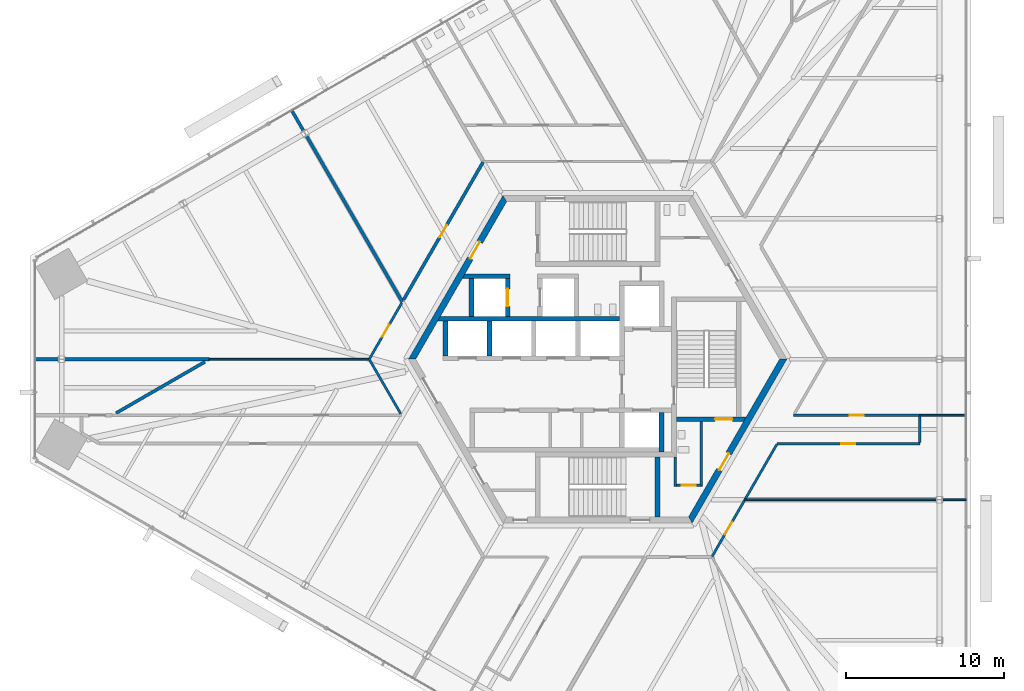
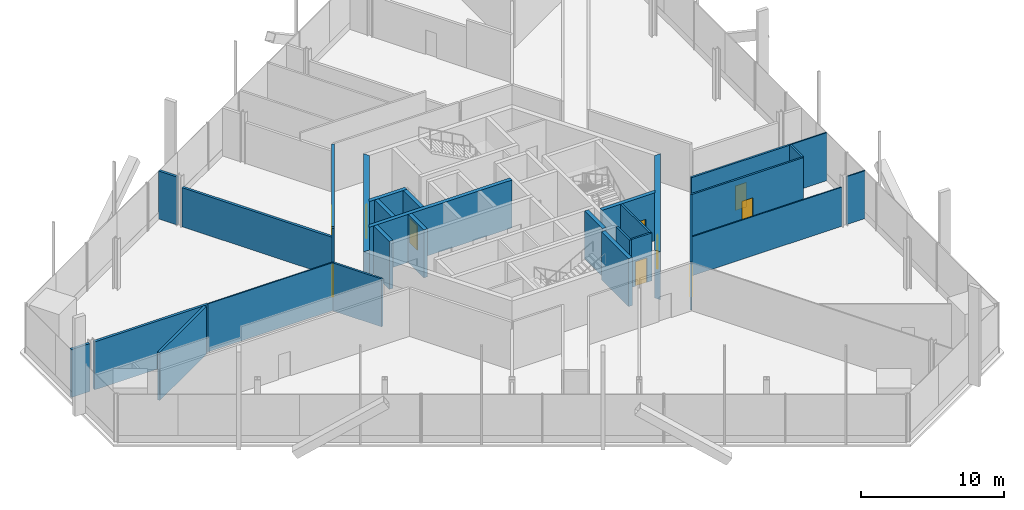
# One storey, part 12 of 19: 30 walls, 10 doors, 10 openings.
"""IFC4 building model written with IfcOpenShell, lengths in metres."""

from ifc_helpers import new_model, si_unit, direction, frame, frame_2d, origin, place, context, subcontext, project, spatial, polyline, rectangle, outline, extrude, source, transform, mapped, material, layer, layer_set, type_object, element, fill, save


model = new_model("IFC4")

# Units and contexts
model_context = context("Model", 3, precision=1e-05, world=origin(), true_north=direction((0.0, 1.0)))
body_context = subcontext(model_context, "Body", "Model", "MODEL_VIEW")
ifc_project = project(units=[si_unit("LENGTHUNIT", "METRE"), si_unit("AREAUNIT", "SQUARE_METRE"), si_unit("VOLUMEUNIT", "CUBIC_METRE"), si_unit("PLANEANGLEUNIT", "RADIAN"), si_unit("MASSUNIT", "GRAM", prefix="KILO")], contexts=[model_context])

# Site, building, storey
site_placement = place(None, origin())
site = spatial("IfcSite", under=ifc_project, at=site_placement, CompositionType="ELEMENT")
building_placement = place(site_placement, origin())
building = spatial("IfcBuilding", under=site, at=building_placement, Name="Triune Harvest Tower", CompositionType="ELEMENT")
storey_placement = place(building_placement, frame((0.0, 0.0, 24.60009765625)))
storey = spatial("IfcBuildingStorey", under=building, at=storey_placement, Name="L05", CompositionType="ELEMENT", Elevation=24.60009765625)

# Wall, opening, door
ifc_material_1 = material(Name="Concrete 70 MPa", Category="concrete")
ifc_layer_1 = layer(ifc_material_1, 0.39990234375)
ifc_layer_set_1 = layer_set([ifc_layer_1], Name="Concrete 70 MPa")
wall_type_1 = type_object("IfcWallType", Name="Core wall 400", PredefinedType="SHEAR", material=ifc_layer_set_1)
shared_shape_1 = source(origin(), body_context, "Body", "SweptSolid", [
    extrude(outline(polyline([(-0.115478515625, -0.199951171875), (11.884521484375, -0.199951171875), (11.653564453125, 0.199951171875), (0.115478515625, 0.199951171875), (-0.115478515625, -0.199951171875)])), origin(), (0.0, 0.0, 1.0), 4.099853515625),
])
wall_1_placement = place(storey_placement, frame((-5.884521484375, 10.1923828125, 0.0), z_axis=(0.0, 0.0, 1.0), x_axis=(-0.499996592174, -0.866027371285, 0.0)))
wall_1 = element("IfcWall", 1, at=wall_1_placement, inside=storey, type_object=wall_type_1, Name="Hexagon 2 wall", PredefinedType="SHEAR", context=body_context, shape_type="MappedRepresentation", body=[
    mapped(shared_shape_1, transform((0.0, 0.0, 0.0), scale=1.0)),
])
opening_1_placement = place(wall_1_placement, frame((3.1845703125, 0.0, 0.0)))
opening_1 = element("IfcOpeningElement", 2, at=opening_1_placement, cuts=wall_1, Name="Opening CD-SVP", PredefinedType="OPENING", context=body_context, shape_type="SweptSolid", body=[
    extrude(rectangle(XDim=1.199951171875, YDim=2.10009765625, at=frame_2d((0.60009765625, 1.050048828125))), frame((0.0, 0.2099609375, 0.0), z_axis=(0.0, -1.0, 0.0), x_axis=(1.0, 0.0, 0.0)), (0.0, 0.0, 1.0), 0.419921875),
])
ifc_material_2 = material(Name="Steel S235", Category="steel")
door_type_1 = type_object("IfcDoorType", Name="Service door 1200 FD120", OperationType="SINGLE_SWING_LEFT", PredefinedType="DOOR", material=ifc_material_2)
door_1_placement = place(opening_1_placement, frame((1.199951171875, 0.0, 0.0), z_axis=(0.0, 0.0, 1.0), x_axis=(-1.0, 0.0, 0.0)))
door_1 = element("IfcDoor", 3, at=door_1_placement, inside=storey, type_object=door_type_1, Name="Door CD-SVP", OperationType="SINGLE_SWING_RIGHT", OverallHeight=2.10009765625, OverallWidth=1.199951171875, PredefinedType="DOOR", context=body_context, shape_type="SweptSolid", body=[
    extrude(rectangle(XDim=1.199951171875, YDim=2.10009765625, at=frame_2d((0.60009765625, 1.050048828125))), frame((0.0, 0.02490234375, 0.0), z_axis=(0.0, -1.0, 0.0), x_axis=(1.0, 0.0, 0.0)), (0.0, 0.0, 1.0), 0.050048828125),
])
fill(opening_1, door_1)

wall_2_placement = place(storey_placement, frame((5.884521484375, -10.1923828125, 0.0), z_axis=(0.0, 0.0, 1.0), x_axis=(0.499996592174, 0.866027371285, 0.0)))
wall_2 = element("IfcWall", 4, at=wall_2_placement, inside=storey, type_object=wall_type_1, Name="Hexagon 5 wall", PredefinedType="SHEAR", context=body_context, shape_type="MappedRepresentation", body=[
    mapped(shared_shape_1, transform((0.0, 0.0, 0.0), scale=1.0)),
])
opening_2_placement = place(wall_2_placement, frame((3.66455078125, 0.0, 0.0)))
opening_2 = element("IfcOpeningElement", 5, at=opening_2_placement, cuts=wall_2, Name="Opening CD-DP", PredefinedType="OPENING", context=body_context, shape_type="SweptSolid", body=[
    extrude(rectangle(XDim=1.199951171875, YDim=2.10009765625, at=frame_2d((0.60009765625, 1.050048828125))), frame((0.0, 0.2099609375, 0.0), z_axis=(0.0, -1.0, 0.0), x_axis=(1.0, 0.0, 0.0)), (0.0, 0.0, 1.0), 0.419921875),
])
ifc_material_3 = material(Name="Steel S235", Category="steel")
door_type_2 = type_object("IfcDoorType", Name="Stair door 1200 FD120", OperationType="SINGLE_SWING_LEFT", PredefinedType="DOOR", material=ifc_material_3)
door_2_placement = place(opening_2_placement, frame((1.199951171875, 0.0, 0.0), z_axis=(0.0, 0.0, 1.0), x_axis=(-1.0, 0.0, 0.0)))
door_2 = element("IfcDoor", 6, at=door_2_placement, inside=storey, type_object=door_type_2, Name="Door CD-DP", OperationType="SINGLE_SWING_RIGHT", OverallHeight=2.10009765625, OverallWidth=1.199951171875, PredefinedType="DOOR", context=body_context, shape_type="SweptSolid", body=[
    extrude(rectangle(XDim=1.199951171875, YDim=2.10009765625, at=frame_2d((0.60009765625, 1.050048828125))), frame((0.0, 0.02490234375, 0.0), z_axis=(0.0, -1.0, 0.0), x_axis=(1.0, 0.0, 0.0)), (0.0, 0.0, 1.0), 0.050048828125),
])
fill(opening_2, door_2)

# Walls
ifc_material_4 = material(Name="Concrete 70 MPa", Category="concrete")
ifc_layer_2 = layer(ifc_material_4, 0.300048828125)
ifc_layer_set_2 = layer_set([ifc_layer_2], Name="Concrete 70 MPa")
wall_type_2 = type_object("IfcWallType", Name="Core wall 300", PredefinedType="SHEAR", material=ifc_layer_set_2)
shared_shape_2 = source(origin(), body_context, "Body", "SweptSolid", [
    extrude(outline(polyline([(11.199951171875, -0.14990234375), (-0.34912109375, -0.14990234375), (-0.17578125, 0.14990234375), (11.199951171875, 0.14990234375), (11.199951171875, -0.14990234375)])), origin(), (0.0, 0.0, 1.0), 4.099853515625),
])
wall_3_placement = place(storey_placement, frame((-9.800048828125, 2.56005859375, 0.0), z_axis=(0.0, 0.0, 1.0), x_axis=(1.0, 0.0, 0.0)))
element("IfcWall", 7, at=wall_3_placement, inside=storey, type_object=wall_type_2, Name="North back wall", PredefinedType="SHEAR", context=body_context, shape_type="MappedRepresentation", body=[
    mapped(shared_shape_2, transform((0.0, 0.0, 0.0), scale=1.0)),
])
shared_shape_3 = source(origin(), body_context, "Body", "SweptSolid", [
    extrude(rectangle(XDim=2.5, YDim=0.300048828125, at=frame_2d((1.25, 0.0))), origin(), (0.0, 0.0, 1.0), 4.099853515625),
])
wall_4_placement = place(storey_placement, frame((4.050048828125, -5.889892578125, 0.0), z_axis=(0.0, 0.0, 1.0), x_axis=(0.0, 1.0, 0.0)))
element("IfcWall", 8, at=wall_4_placement, inside=storey, type_object=wall_type_2, Name="Ff2 east wall", PredefinedType="SHEAR", context=body_context, shape_type="MappedRepresentation", body=[
    mapped(shared_shape_3, transform((0.0, 0.0, 0.0), scale=1.0)),
])
shared_shape_4 = source(origin(), body_context, "Body", "SweptSolid", [
    extrude(rectangle(XDim=2.199951171875, YDim=0.300048828125, at=frame_2d((1.10009765625, 0.0))), origin(), (0.0, 0.0, 1.0), 4.099853515625),
])
for number, where, z_axis, x_axis, name in (
    (9, (-9.64990234375, 0.2099609375, 0.0), (0.0, 0.0, 1.0), (0.0, 1.0, 0.0), "North end west wall"),
    (10, (-6.85009765625, 0.2099609375, 0.0), (0.0, 0.0, 1.0), (0.0, 1.0, 0.0), "North cross 1 wall"),
):
    element("IfcWall", number, at=place(storey_placement, frame(where, z_axis=z_axis, x_axis=x_axis)), inside=storey, type_object=wall_type_2, Name=name, PredefinedType="SHEAR", context=body_context, shape_type="MappedRepresentation", body=[
        mapped(shared_shape_4, transform((0.0, 0.0, 0.0), scale=1.0)),
    ])

# Wall, opening, door
shared_shape_5 = source(origin(), body_context, "Body", "SweptSolid", [
    extrude(outline(polyline([(0.0, -0.14990234375), (0.0, 0.14990234375), (4.43310546875, 0.14990234375), (4.260009765625, -0.14990234375), (0.0, -0.14990234375)])), origin(), (0.0, 0.0, 1.0), 4.099853515625),
])
wall_5_placement = place(storey_placement, frame((5.0, -3.800048828125, 0.0), z_axis=(0.0, 0.0, 1.0), x_axis=(1.0, 0.0, 0.0)))
wall_5 = element("IfcWall", 11, at=wall_5_placement, inside=storey, type_object=wall_type_2, Name="Stair e south wall", PredefinedType="SHEAR", context=body_context, shape_type="MappedRepresentation", body=[
    mapped(shared_shape_5, transform((0.0, 0.0, 0.0), scale=1.0)),
])
opening_3_placement = place(wall_5_placement, frame((2.449951171875, 0.0, 0.0)))
opening_3 = element("IfcOpeningElement", 12, at=opening_3_placement, cuts=wall_5, Name="Opening CD-S3D", PredefinedType="OPENING", context=body_context, shape_type="SweptSolid", body=[
    extrude(rectangle(XDim=1.10009765625, YDim=2.10009765625, at=frame_2d((0.550048828125, 1.050048828125))), frame((0.0, 0.16015625, 0.0), z_axis=(0.0, -1.0, 0.0), x_axis=(1.0, 0.0, 0.0)), (0.0, 0.0, 1.0), 0.320068359375),
])
ifc_material_5 = material(Name="Steel S235", Category="steel")
door_type_3 = type_object("IfcDoorType", Name="Stair door 1100 FD120", OperationType="SINGLE_SWING_LEFT", PredefinedType="DOOR", material=ifc_material_5)
door_3_placement = place(opening_3_placement, frame((1.10009765625, 0.0, 0.0), z_axis=(0.0, 0.0, 1.0), x_axis=(-1.0, 0.0, 0.0)))
door_3 = element("IfcDoor", 13, at=door_3_placement, inside=storey, type_object=door_type_3, Name="Door CD-S3D", OperationType="SINGLE_SWING_RIGHT", OverallHeight=2.10009765625, OverallWidth=1.10009765625, PredefinedType="DOOR", context=body_context, shape_type="SweptSolid", body=[
    extrude(rectangle(XDim=1.10009765625, YDim=2.10009765625, at=frame_2d((0.550048828125, 1.050048828125))), frame((0.0, 0.02490234375, 0.0), z_axis=(0.0, -1.0, 0.0), x_axis=(1.0, 0.0, 0.0)), (0.0, 0.0, 1.0), 0.050048828125),
])
fill(opening_3, door_3)

# Walls
shared_shape_6 = source(origin(), body_context, "Body", "SweptSolid", [
    extrude(outline(polyline([(3.800048828125, -0.14990234375), (-0.00439453125, -0.14990234375), (-0.00439453125, 0.14990234375), (3.800048828125, 0.14990234375), (3.800048828125, -0.14990234375)])), origin(), (0.0, 0.0, 1.0), 4.099853515625),
])
wall_6_placement = place(storey_placement, frame((3.800048828125, -9.989990234375, 0.0), z_axis=(0.0, 0.0, 1.0), x_axis=(0.0, 1.0, 0.0)))
element("IfcWall", 14, at=wall_6_placement, inside=storey, type_object=wall_type_2, Name="Stair s east wall", PredefinedType="SHEAR", context=body_context, shape_type="MappedRepresentation", body=[
    mapped(shared_shape_6, transform((0.0, 0.0, 0.0), scale=1.0)),
])
shared_shape_7 = source(origin(), body_context, "Body", "SweptSolid", [
    extrude(outline(polyline([(2.60009765625, -0.14990234375), (-0.440185546875, -0.14990234375), (-0.26708984375, 0.14990234375), (2.60009765625, 0.14990234375), (2.60009765625, -0.14990234375)])), origin(), (0.0, 0.0, 1.0), 4.099853515625),
])
wall_7_placement = place(storey_placement, frame((-8.14990234375, 5.260009765625, 0.0), z_axis=(0.0, 0.0, 1.0), x_axis=(1.0, 0.0, 0.0)))
element("IfcWall", 15, at=wall_7_placement, inside=storey, type_object=wall_type_2, Name="Sv1 north wall", PredefinedType="SHEAR", context=body_context, shape_type="MappedRepresentation", body=[
    mapped(shared_shape_7, transform((0.0, 0.0, 0.0), scale=1.0)),
])
shared_shape_8 = source(origin(), body_context, "Body", "SweptSolid", [
    extrude(rectangle(XDim=2.400146484375, YDim=0.300048828125, at=frame_2d((1.2001953125, 0.0))), origin(), (0.0, 0.0, 1.0), 4.099853515625),
])
wall_8_placement = place(storey_placement, frame((-8.0, 2.7099609375, 0.0), z_axis=(0.0, 0.0, 1.0), x_axis=(0.0, 1.0, 0.0)))
element("IfcWall", 16, at=wall_8_placement, inside=storey, type_object=wall_type_2, Name="Sv1 west wall", PredefinedType="SHEAR", context=body_context, shape_type="MappedRepresentation", body=[
    mapped(shared_shape_8, transform((0.0, 0.0, 0.0), scale=1.0)),
])

# Wall, opening, door
wall_9_placement = place(storey_placement, frame((-5.699951171875, 2.7099609375, 0.0), z_axis=(0.0, 0.0, 1.0), x_axis=(0.0, 1.0, 0.0)))
wall_9 = element("IfcWall", 17, at=wall_9_placement, inside=storey, type_object=wall_type_2, Name="Sv1 east wall", PredefinedType="SHEAR", context=body_context, shape_type="MappedRepresentation", body=[
    mapped(shared_shape_8, transform((0.0, 0.0, 0.0), scale=1.0)),
])
opening_4_placement = place(wall_9_placement, frame((0.64990234375, 0.0, 0.0)))
opening_4 = element("IfcOpeningElement", 18, at=opening_4_placement, cuts=wall_9, Name="Opening LD-SV1-05", PredefinedType="OPENING", context=body_context, shape_type="SweptSolid", body=[
    extrude(rectangle(XDim=1.10009765625, YDim=2.10009765625, at=frame_2d((0.550048828125, 1.050048828125))), frame((0.0, 0.16015625, 0.0), z_axis=(0.0, -1.0, 0.0), x_axis=(1.0, 0.0, 0.0)), (0.0, 0.0, 1.0), 0.320068359375),
])
ifc_material_6 = material(Name="Stainless steel AISI 304", Category="steel")
door_type_4 = type_object("IfcDoorType", Name="Landing door 1100 x 2100", OperationType="DOUBLE_DOOR_SLIDING", PredefinedType="DOOR", material=ifc_material_6)
door_4_placement = place(opening_4_placement, origin())
door_4 = element("IfcDoor", 19, at=door_4_placement, inside=storey, type_object=door_type_4, Name="Door LD-SV1-05", OperationType="DOUBLE_DOOR_SLIDING", OverallHeight=2.10009765625, OverallWidth=1.10009765625, PredefinedType="DOOR", context=body_context, shape_type="SweptSolid", body=[
    extrude(rectangle(XDim=1.10009765625, YDim=2.10009765625, at=frame_2d((0.550048828125, 1.050048828125))), frame((0.0, 0.02490234375, 0.0), z_axis=(0.0, -1.0, 0.0), x_axis=(1.0, 0.0, 0.0)), (0.0, 0.0, 1.0), 0.050048828125),
])
fill(opening_4, door_4)

ifc_material_7 = material(Name="Concrete masonry unit", Category="masonry")
ifc_layer_3 = layer(ifc_material_7, 0.14990234375)
ifc_layer_set_3 = layer_set([ifc_layer_3], Name="Concrete masonry unit")
wall_type_3 = type_object("IfcWallType", Name="Block partition 150 unrated", PredefinedType="PARTITIONING", material=ifc_layer_set_3)
shared_shape_9 = source(origin(), body_context, "Body", "SweptSolid", [
    extrude(outline(polyline([(0.0, -0.074951171875), (1.64990234375, -0.074951171875), (1.5, 0.074951171875), (0.0, 0.074951171875), (0.0, -0.074951171875)])), origin(), (0.0, 0.0, 1.0), 4.099853515625),
])
wall_10_placement = place(storey_placement, frame((5.0, -8.0, 0.0), z_axis=(0.0, 0.0, 1.0), x_axis=(1.0, 0.0, 0.0)))
wall_10 = element("IfcWall", 20, at=wall_10_placement, inside=storey, type_object=wall_type_3, Name="Wc acc south wall", PredefinedType="PARTITIONING", context=body_context, shape_type="MappedRepresentation", body=[
    mapped(shared_shape_9, transform((0.0, 0.0, 0.0), scale=1.0)),
])
opening_5_placement = place(wall_10_placement, frame((0.33740234375, 0.0, 0.0)))
opening_5 = element("IfcOpeningElement", 21, at=opening_5_placement, cuts=wall_10, Name="Opening CD-WA", PredefinedType="OPENING", context=body_context, shape_type="SweptSolid", body=[
    extrude(rectangle(XDim=0.89990234375, YDim=2.10009765625, at=frame_2d((0.449951171875, 1.050048828125))), frame((0.0, 0.0849609375, 0.0), z_axis=(0.0, -1.0, 0.0), x_axis=(1.0, 0.0, 0.0)), (0.0, 0.0, 1.0), 0.169921875),
])
ifc_material_8 = material(Name="Timber C24", Category="wood")
door_type_5 = type_object("IfcDoorType", Name="WC door 900", OperationType="SINGLE_SWING_LEFT", PredefinedType="DOOR", material=ifc_material_8)
door_5_placement = place(opening_5_placement, origin())
door_5 = element("IfcDoor", 22, at=door_5_placement, inside=storey, type_object=door_type_5, Name="Door CD-WA", OperationType="SINGLE_SWING_LEFT", OverallHeight=2.10009765625, OverallWidth=0.89990234375, PredefinedType="DOOR", context=body_context, shape_type="SweptSolid", body=[
    extrude(rectangle(XDim=0.89990234375, YDim=2.10009765625, at=frame_2d((0.449951171875, 1.050048828125))), frame((0.0, 0.02490234375, 0.0), z_axis=(0.0, -1.0, 0.0), x_axis=(1.0, 0.0, 0.0)), (0.0, 0.0, 1.0), 0.050048828125),
])
fill(opening_5, door_5)

# Walls
shared_shape_10 = source(origin(), body_context, "Body", "SweptSolid", [
    extrude(outline(polyline([(-0.074951171875, -0.074951171875), (4.050048828125, -0.074951171875), (4.050048828125, 0.074951171875), (0.074951171875, 0.074951171875), (-0.074951171875, -0.074951171875)])), origin(), (0.0, 0.0, 1.0), 4.099853515625),
])
wall_11_placement = place(storey_placement, frame((6.574951171875, -8.0, 0.0), z_axis=(0.0, 0.0, 1.0), x_axis=(0.0, 1.0, 0.0)))
element("IfcWall", 23, at=wall_11_placement, inside=storey, type_object=wall_type_3, Name="Wc acc east wall", PredefinedType="PARTITIONING", context=body_context, shape_type="MappedRepresentation", body=[
    mapped(shared_shape_10, transform((0.0, 0.0, 0.0), scale=1.0)),
])
shared_shape_11 = source(origin(), body_context, "Body", "SweptSolid", [
    extrude(rectangle(XDim=1.885009765625, YDim=0.14990234375, at=frame_2d((0.9423828125, 0.0))), origin(), (0.0, 0.0, 1.0), 4.099853515625),
])
wall_12_placement = place(storey_placement, frame((4.925048828125, -8.074951171875, 0.0), z_axis=(0.0, 0.0, 1.0), x_axis=(0.0, 1.0, 0.0)))
element("IfcWall", 24, at=wall_12_placement, inside=storey, type_object=wall_type_3, Name="Wc acc west wall", PredefinedType="PARTITIONING", context=body_context, shape_type="MappedRepresentation", body=[
    mapped(shared_shape_11, transform((0.0, 0.0, 0.0), scale=1.0)),
])
ifc_material_9 = material(Name="Gypsum board on steel studs", Category="steel")
ifc_layer_4 = layer(ifc_material_9, 0.199951171875)
ifc_layer_set_4 = layer_set([ifc_layer_4], Name="Gypsum board on steel studs")
wall_type_4 = type_object("IfcWallType", Name="Fire Wall 200 mm", PredefinedType="PARTITIONING", material=ifc_layer_set_4)
shared_shape_12 = source(origin(), body_context, "Body", "SweptSolid", [
    extrude(rectangle(XDim=12.147705078125, YDim=0.199951171875, at=frame_2d((6.07373046875, 0.0))), origin(), (0.0, 0.0, 1.0), 3.343017578125),
])
wall_13_placement = place(storey_placement, frame((-18.45947265625, 14.152587890625, 0.0), z_axis=(0.0, 0.0, 1.0), x_axis=(0.500006022464, -0.866021926685, 0.0)))
element("IfcWall", 25, at=wall_13_placement, inside=storey, type_object=wall_type_4, Name="Partition L05 004", PredefinedType="PARTITIONING", context=body_context, shape_type="MappedRepresentation", body=[
    mapped(shared_shape_12, transform((0.0, 0.0, 0.0), scale=1.0)),
])
ifc_material_10 = material(Name="Gypsum board on steel studs", Category="steel")
ifc_layer_5 = layer(ifc_material_10, 0.10009765625)
ifc_layer_set_5 = layer_set([ifc_layer_5], Name="Gypsum board on steel studs")
wall_type_5 = type_object("IfcWallType", Name="Partition 100 mm", PredefinedType="PARTITIONING", material=ifc_layer_set_5)
shared_shape_13 = source(origin(), body_context, "Body", "SweptSolid", [
    extrude(rectangle(XDim=12.14794921875, YDim=0.10009765625, at=frame_2d((6.073974609375, 0.0))), origin(), (0.0, 0.0, 1.0), 3.343017578125),
])
wall_14_placement = place(storey_placement, frame((9.33837890625, -8.909912109375, 0.0), z_axis=(0.0, 0.0, 1.0), x_axis=(1.0, 0.0, 0.0)))
element("IfcWall", 26, at=wall_14_placement, inside=storey, type_object=wall_type_5, Name="Partition L05 025", PredefinedType="PARTITIONING", context=body_context, shape_type="MappedRepresentation", body=[
    mapped(shared_shape_13, transform((0.0, 0.0, 0.0), scale=1.0)),
])
ifc_material_11 = material(Name="Gypsum board on steel studs", Category="steel")
ifc_layer_6 = layer(ifc_material_11, 0.14990234375)
ifc_layer_set_6 = layer_set([ifc_layer_6], Name="Gypsum board on steel studs")
wall_type_6 = type_object("IfcWallType", Name="Fire Partition 150 mm", PredefinedType="PARTITIONING", material=ifc_layer_set_6)
shared_shape_14 = source(origin(), body_context, "Body", "SweptSolid", [
    extrude(rectangle(XDim=3.945068359375, YDim=0.14990234375, at=frame_2d((1.97265625, 0.0))), origin(), (0.0, 0.0, 1.0), 4.099853515625),
])
wall_15_placement = place(storey_placement, frame((-14.45751953125, -0.043212890625, 0.0), z_axis=(0.0, 0.0, 1.0), x_axis=(0.499979592829, -0.866037185549, 0.0)))
element("IfcWall", 27, at=wall_15_placement, inside=storey, type_object=wall_type_6, Name="Partition L05 001", PredefinedType="PARTITIONING", context=body_context, shape_type="MappedRepresentation", body=[
    mapped(shared_shape_14, transform((0.0, 0.0, 0.0), scale=1.0)),
])
shared_shape_15 = source(origin(), body_context, "Body", "SweptSolid", [
    extrude(rectangle(XDim=1.49853515625, YDim=0.199951171875, at=frame_2d((0.749267578125, 0.0))), origin(), (0.0, 0.0, 1.0), 4.099853515625),
])
for number, where, z_axis, x_axis, name in (
    (28, (-19.40185546875, 15.78515625, 0.0), (0.0, 0.0, 1.0), (0.499976292358, -0.866039090965, 0.0), "Partition L05 003"),
    (29, (-35.680419921875, 0.0, 0.0), (0.0, 0.0, 1.0), (1.0, 0.0, 0.0), "Partition L05 033"),
):
    element("IfcWall", number, at=place(storey_placement, frame(where, z_axis=z_axis, x_axis=x_axis)), inside=storey, type_object=wall_type_4, Name=name, PredefinedType="PARTITIONING", context=body_context, shape_type="MappedRepresentation", body=[
        mapped(shared_shape_15, transform((0.0, 0.0, 0.0), scale=1.0)),
    ])
shared_shape_16 = source(origin(), body_context, "Body", "SweptSolid", [
    extrude(rectangle(XDim=1.49853515625, YDim=0.10009765625, at=frame_2d((0.749267578125, 0.0))), origin(), (0.0, 0.0, 1.0), 4.099853515625),
])
wall_16_placement = place(storey_placement, frame((21.872802734375, -8.909912109375, 0.0), z_axis=(0.0, 0.0, 1.0), x_axis=(1.0, 0.0, 0.0)))
element("IfcWall", 30, at=wall_16_placement, inside=storey, type_object=wall_type_5, Name="Partition L05 026", PredefinedType="PARTITIONING", context=body_context, shape_type="MappedRepresentation", body=[
    mapped(shared_shape_16, transform((0.0, 0.0, 0.0), scale=1.0)),
])

# Wall, opening, door
shared_shape_17 = source(origin(), body_context, "Body", "SweptSolid", [
    extrude(rectangle(XDim=9.03857421875, YDim=0.14990234375, at=frame_2d((4.519287109375, 0.0))), origin(), (0.0, 0.0, 1.0), 4.099853515625),
])
wall_17_placement = place(storey_placement, frame((11.390869140625, -5.35498046875, 0.0), z_axis=(0.0, 0.0, 1.0), x_axis=(1.0, 0.0, 0.0)))
wall_17 = element("IfcWall", 31, at=wall_17_placement, inside=storey, type_object=wall_type_6, Name="Partition L05 028", PredefinedType="PARTITIONING", context=body_context, shape_type="MappedRepresentation", body=[
    mapped(shared_shape_17, transform((0.0, 0.0, 0.0), scale=1.0)),
])
opening_6_placement = place(wall_17_placement, frame((4.050048828125, 0.0, 0.0)))
opening_6 = element("IfcOpeningElement", 32, at=opening_6_placement, cuts=wall_17, Name="Opening L05-002", PredefinedType="OPENING", context=body_context, shape_type="SweptSolid", body=[
    extrude(rectangle(XDim=0.89990234375, YDim=2.10009765625, at=frame_2d((0.449951171875, 1.050048828125))), frame((0.0, 0.0849609375, 0.0), z_axis=(0.0, -1.0, 0.0), x_axis=(1.0, 0.0, 0.0)), (0.0, 0.0, 1.0), 0.169921875),
])
ifc_material_12 = material(Name="Timber and steel door set", Category="steel")
door_type_6 = type_object("IfcDoorType", Name="Single leaf door FD30 right hand 900 x 2100", OperationType="SINGLE_SWING_RIGHT", PredefinedType="DOOR", material=ifc_material_12)
door_6_placement = place(opening_6_placement, origin())
door_6 = element("IfcDoor", 33, at=door_6_placement, inside=storey, type_object=door_type_6, Name="Door L05-002 Dry Store Room 05.02", OperationType="SINGLE_SWING_RIGHT", OverallHeight=2.10009765625, OverallWidth=0.89990234375, PredefinedType="DOOR", context=body_context, shape_type="SweptSolid", body=[
    extrude(rectangle(XDim=0.89990234375, YDim=2.10009765625, at=frame_2d((0.449951171875, 1.050048828125))), frame((0.0, 0.02490234375, 0.0), z_axis=(0.0, -1.0, 0.0), x_axis=(1.0, 0.0, 0.0)), (0.0, 0.0, 1.0), 0.050048828125),
])
fill(opening_6, door_6)

shared_shape_18 = source(origin(), body_context, "Body", "SweptSolid", [
    extrude(rectangle(XDim=7.999267578125, YDim=0.14990234375, at=frame_2d((3.99951171875, 0.0))), origin(), (0.0, 0.0, 1.0), 4.099853515625),
])
wall_18_placement = place(storey_placement, frame((12.43017578125, -3.554931640625, 0.0), z_axis=(0.0, 0.0, 1.0), x_axis=(1.0, 0.0, 0.0)))
wall_18 = element("IfcWall", 34, at=wall_18_placement, inside=storey, type_object=wall_type_6, Name="Partition L05 031", PredefinedType="PARTITIONING", context=body_context, shape_type="MappedRepresentation", body=[
    mapped(shared_shape_18, transform((0.0, 0.0, 0.0), scale=1.0)),
])
opening_7_placement = place(wall_18_placement, frame((3.559326171875, 0.0, 0.0)))
opening_7 = element("IfcOpeningElement", 35, at=opening_7_placement, cuts=wall_18, Name="Opening L05-003", PredefinedType="OPENING", context=body_context, shape_type="SweptSolid", body=[
    extrude(rectangle(XDim=0.89990234375, YDim=2.10009765625, at=frame_2d((0.449951171875, 1.050048828125))), frame((0.0, 0.0849609375, 0.0), z_axis=(0.0, -1.0, 0.0), x_axis=(1.0, 0.0, 0.0)), (0.0, 0.0, 1.0), 0.169921875),
])
door_7_placement = place(opening_7_placement, origin())
door_7 = element("IfcDoor", 36, at=door_7_placement, inside=storey, type_object=door_type_6, Name="Door L05-003 Packing Room 05.03", OperationType="SINGLE_SWING_RIGHT", OverallHeight=2.10009765625, OverallWidth=0.89990234375, PredefinedType="DOOR", context=body_context, shape_type="SweptSolid", body=[
    extrude(rectangle(XDim=0.89990234375, YDim=2.10009765625, at=frame_2d((0.449951171875, 1.050048828125))), frame((0.0, 0.02490234375, 0.0), z_axis=(0.0, -1.0, 0.0), x_axis=(1.0, 0.0, 0.0)), (0.0, 0.0, 1.0), 0.050048828125),
])
fill(opening_7, door_7)

# Walls
shared_shape_19 = source(origin(), body_context, "Body", "SweptSolid", [
    extrude(rectangle(XDim=2.94189453125, YDim=0.10009765625, at=frame_2d((1.470947265625, 0.0))), origin(), (0.0, 0.0, 1.0), 4.099853515625),
])
wall_19_placement = place(storey_placement, frame((20.429443359375, -3.554931640625, 0.0), z_axis=(0.0, 0.0, 1.0), x_axis=(1.0, 0.0, 0.0)))
element("IfcWall", 37, at=wall_19_placement, inside=storey, type_object=wall_type_5, Name="Partition L05 032", PredefinedType="PARTITIONING", context=body_context, shape_type="MappedRepresentation", body=[
    mapped(shared_shape_19, transform((0.0, 0.0, 0.0), scale=1.0)),
])
shared_shape_20 = source(origin(), body_context, "Body", "SweptSolid", [
    extrude(rectangle(XDim=9.17724609375, YDim=0.199951171875, at=frame_2d((4.588623046875, 0.0))), origin(), (0.0, 0.0, 1.0), 4.099853515625),
])
wall_20_placement = place(storey_placement, frame((-33.79541015625, 0.0, 0.0), z_axis=(0.0, 0.0, 1.0), x_axis=(1.0, 0.0, 0.0)))
element("IfcWall", 38, at=wall_20_placement, inside=storey, type_object=wall_type_4, Name="Partition L05 034", PredefinedType="PARTITIONING", context=body_context, shape_type="MappedRepresentation", body=[
    mapped(shared_shape_20, transform((0.0, 0.0, 0.0), scale=1.0)),
])
shared_shape_21 = source(origin(), body_context, "Body", "SweptSolid", [
    extrude(rectangle(XDim=10.135498046875, YDim=0.10009765625, at=frame_2d((5.06787109375, 0.0))), origin(), (0.0, 0.0, 1.0), 4.099853515625),
])
wall_21_placement = place(storey_placement, frame((-24.6181640625, 0.0, 0.0), z_axis=(0.0, 0.0, 1.0), x_axis=(1.0, 0.0, 0.0)))
element("IfcWall", 39, at=wall_21_placement, inside=storey, type_object=wall_type_5, Name="Partition L05 035", PredefinedType="PARTITIONING", context=body_context, shape_type="MappedRepresentation", body=[
    mapped(shared_shape_21, transform((0.0, 0.0, 0.0), scale=1.0)),
])
shared_shape_22 = source(origin(), body_context, "Body", "SweptSolid", [
    extrude(rectangle(XDim=6.500244140625, YDim=0.199951171875, at=frame_2d((3.25, 0.0))), origin(), (0.0, 0.0, 1.0), 4.099853515625),
])
wall_22_placement = place(storey_placement, frame((-30.533203125, -3.4150390625, 0.0), z_axis=(0.0, 0.0, 1.0), x_axis=(0.866034226713, 0.499984717929, 0.0)))
element("IfcWall", 40, at=wall_22_placement, inside=storey, type_object=wall_type_4, Name="Partition L05 041", PredefinedType="PARTITIONING", context=body_context, shape_type="MappedRepresentation", body=[
    mapped(shared_shape_22, transform((0.0, 0.0, 0.0), scale=1.0)),
])

# Wall, opening, door
shared_shape_23 = source(origin(), body_context, "Body", "SweptSolid", [
    extrude(rectangle(XDim=8.21923828125, YDim=0.14990234375, at=frame_2d((4.109619140625, 0.0))), origin(), (0.0, 0.0, 1.0), 4.099853515625),
])
wall_23_placement = place(storey_placement, frame((7.25634765625, -12.516357421875, 0.0), z_axis=(0.0, 0.0, 1.0), x_axis=(0.499994999852, 0.866028290602, 0.0)))
wall_23 = element("IfcWall", 41, at=wall_23_placement, inside=storey, type_object=wall_type_6, Name="Partition L05 043", PredefinedType="PARTITIONING", context=body_context, shape_type="MappedRepresentation", body=[
    mapped(shared_shape_23, transform((0.0, 0.0, 0.0), scale=1.0)),
])
opening_8_placement = place(wall_23_placement, frame((1.6201171875, 0.0, 0.0)))
opening_8 = element("IfcOpeningElement", 42, at=opening_8_placement, cuts=wall_23, Name="Opening L05-001", PredefinedType="OPENING", context=body_context, shape_type="SweptSolid", body=[
    extrude(rectangle(XDim=0.89990234375, YDim=2.10009765625, at=frame_2d((0.449951171875, 1.050048828125))), frame((0.0, 0.0849609375, 0.0), z_axis=(0.0, -1.0, 0.0), x_axis=(1.0, 0.0, 0.0)), (0.0, 0.0, 1.0), 0.169921875),
])
door_8_placement = place(opening_8_placement, origin())
door_8 = element("IfcDoor", 43, at=door_8_placement, inside=storey, type_object=door_type_6, Name="Door L05-001 Staff Room 05.01", OperationType="SINGLE_SWING_RIGHT", OverallHeight=2.10009765625, OverallWidth=0.89990234375, PredefinedType="DOOR", context=body_context, shape_type="SweptSolid", body=[
    extrude(rectangle(XDim=0.89990234375, YDim=2.10009765625, at=frame_2d((0.449951171875, 1.050048828125))), frame((0.0, 0.02490234375, 0.0), z_axis=(0.0, -1.0, 0.0), x_axis=(1.0, 0.0, 0.0)), (0.0, 0.0, 1.0), 0.050048828125),
])
fill(opening_8, door_8)

shared_shape_24 = source(origin(), body_context, "Body", "SweptSolid", [
    extrude(rectangle(XDim=4.111083984375, YDim=0.14990234375, at=frame_2d((2.0556640625, 0.0))), origin(), (0.0, 0.0, 1.0), 4.099853515625),
])
wall_24_placement = place(storey_placement, frame((-14.47265625, 0.01708984375, 0.0), z_axis=(0.0, 0.0, 1.0), x_axis=(0.500022314862, 0.866012519909, 0.0)))
wall_24 = element("IfcWall", 44, at=wall_24_placement, inside=storey, type_object=wall_type_6, Name="Partition L05 059", PredefinedType="PARTITIONING", context=body_context, shape_type="MappedRepresentation", body=[
    mapped(shared_shape_24, transform((0.0, 0.0, 0.0), scale=1.0)),
])
opening_9_placement = place(wall_24_placement, frame((1.62451171875, 0.0, 0.0)))
opening_9 = element("IfcOpeningElement", 45, at=opening_9_placement, cuts=wall_24, Name="Opening L05-015", PredefinedType="OPENING", context=body_context, shape_type="SweptSolid", body=[
    extrude(rectangle(XDim=0.89990234375, YDim=2.10009765625, at=frame_2d((0.449951171875, 1.050048828125))), frame((0.0, 0.0849609375, 0.0), z_axis=(0.0, -1.0, 0.0), x_axis=(1.0, 0.0, 0.0)), (0.0, 0.0, 1.0), 0.169921875),
])
ifc_material_13 = material(Name="Timber and steel door set", Category="steel")
door_type_7 = type_object("IfcDoorType", Name="Single leaf door FD30 left hand 900 x 2100", OperationType="SINGLE_SWING_LEFT", PredefinedType="DOOR", material=ifc_material_13)
door_9_placement = place(opening_9_placement, origin())
door_9 = element("IfcDoor", 46, at=door_9_placement, inside=storey, type_object=door_type_7, Name="Door L05-015 Cold Store 05.15", OperationType="SINGLE_SWING_LEFT", OverallHeight=2.10009765625, OverallWidth=0.89990234375, PredefinedType="DOOR", context=body_context, shape_type="SweptSolid", body=[
    extrude(rectangle(XDim=0.89990234375, YDim=2.10009765625, at=frame_2d((0.449951171875, 1.050048828125))), frame((0.0, 0.02490234375, 0.0), z_axis=(0.0, -1.0, 0.0), x_axis=(1.0, 0.0, 0.0)), (0.0, 0.0, 1.0), 0.050048828125),
])
fill(opening_9, door_9)

shared_shape_25 = source(origin(), body_context, "Body", "SweptSolid", [
    extrude(rectangle(XDim=10.081787109375, YDim=0.199951171875, at=frame_2d((5.041015625, 0.0))), origin(), (0.0, 0.0, 1.0), 4.099853515625),
])
wall_25_placement = place(storey_placement, frame((-12.30712890625, 3.76806640625, 0.0), z_axis=(0.0, 0.0, 1.0), x_axis=(0.500014523669, 0.866017018378, 0.0)))
wall_25 = element("IfcWall", 47, at=wall_25_placement, inside=storey, type_object=wall_type_4, Name="Partition L05 060", PredefinedType="PARTITIONING", context=body_context, shape_type="MappedRepresentation", body=[
    mapped(shared_shape_25, transform((0.0, 0.0, 0.0), scale=1.0)),
])
opening_10_placement = place(wall_25_placement, frame((4.581787109375, 0.0, 0.0)))
opening_10 = element("IfcOpeningElement", 48, at=opening_10_placement, cuts=wall_25, Name="Opening L05-014", PredefinedType="OPENING", context=body_context, shape_type="SweptSolid", body=[
    extrude(rectangle(XDim=0.89990234375, YDim=2.10009765625, at=frame_2d((0.449951171875, 1.050048828125))), frame((0.0, 0.10986328125, 0.0), z_axis=(0.0, -1.0, 0.0), x_axis=(1.0, 0.0, 0.0)), (0.0, 0.0, 1.0), 0.219970703125),
])
ifc_material_14 = material(Name="Timber and steel door set", Category="steel")
door_type_8 = type_object("IfcDoorType", Name="Single leaf door FD60 right hand 900 x 2100", OperationType="SINGLE_SWING_RIGHT", PredefinedType="DOOR", material=ifc_material_14)
door_10_placement = place(opening_10_placement, origin())
door_10 = element("IfcDoor", 49, at=door_10_placement, inside=storey, type_object=door_type_8, Name="Door L05-014 Pump Room 05.14", OperationType="SINGLE_SWING_RIGHT", OverallHeight=2.10009765625, OverallWidth=0.89990234375, PredefinedType="DOOR", context=body_context, shape_type="SweptSolid", body=[
    extrude(rectangle(XDim=0.89990234375, YDim=2.10009765625, at=frame_2d((0.449951171875, 1.050048828125))), frame((0.0, 0.02490234375, 0.0), z_axis=(0.0, -1.0, 0.0), x_axis=(1.0, 0.0, 0.0)), (0.0, 0.0, 1.0), 0.050048828125),
])
fill(opening_10, door_10)

# Wall
shared_shape_26 = source(origin(), body_context, "Body", "SweptSolid", [
    extrude(rectangle(XDim=1.679931640625, YDim=0.14990234375, at=frame_2d((0.83984375, 0.0))), origin(), (0.0, 0.0, 1.0), 4.099853515625),
])
wall_26_placement = place(storey_placement, frame((20.429443359375, -5.294921875, 0.0), z_axis=(0.0, 0.0, 1.0), x_axis=(0.0, 1.0, 0.0)))
element("IfcWall", 50, at=wall_26_placement, inside=storey, type_object=wall_type_6, Name="Partition L05 061", PredefinedType="PARTITIONING", context=body_context, shape_type="MappedRepresentation", body=[
    mapped(shared_shape_26, transform((0.0, 0.0, 0.0), scale=1.0)),
])

save(model, "model.ifc")
